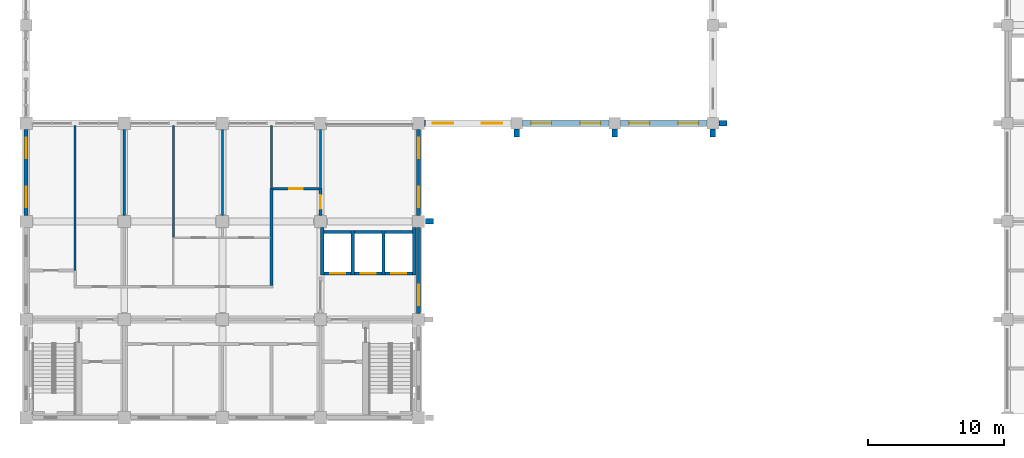
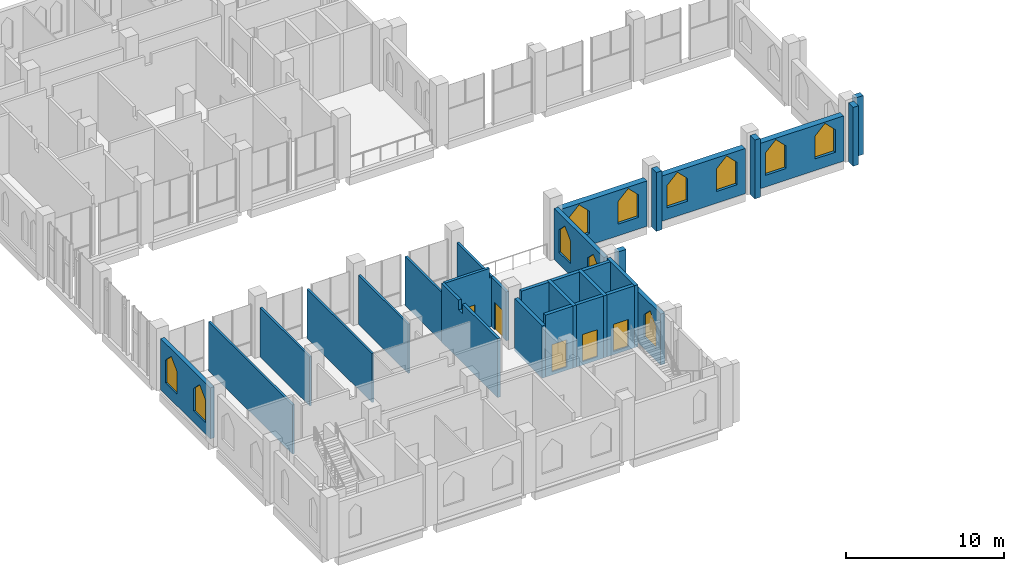
# One storey, part 29 of 40: 30 walls, 11 windows, 5 doors, 16 openings.
"""IFC4 building model written with IfcOpenShell, lengths in metres."""

from ifc_helpers import new_model, si_unit, direction, frame, frame_2d, origin, place, context, subcontext, project, spatial, polyline, rectangle, outline, extrude, material, layer, layer_set, type_object, element, fill, save


model = new_model("IFC4")

# Units and contexts
model_context = context("Model", 3, precision=1e-05, world=origin(), true_north=direction((0.0, 1.0)))
body_context = subcontext(model_context, "Body", "Model", "MODEL_VIEW")
ifc_project = project(units=[si_unit("LENGTHUNIT", "METRE"), si_unit("AREAUNIT", "SQUARE_METRE"), si_unit("VOLUMEUNIT", "CUBIC_METRE"), si_unit("PLANEANGLEUNIT", "RADIAN"), si_unit("MASSUNIT", "GRAM", prefix="KILO")], contexts=[model_context])

# Site, building, storey
site_placement = place(None, origin())
site = spatial("IfcSite", under=ifc_project, at=site_placement, CompositionType="ELEMENT")
building_placement = place(site_placement, origin())
building = spatial("IfcBuilding", under=site, at=building_placement, Name="Silangan Lancet Faculty of Sciences", CompositionType="ELEMENT")
storey_placement = place(building_placement, frame((0.0, 0.0, 16.800048828125)))
storey = spatial("IfcBuildingStorey", under=building, at=storey_placement, Name="L03", CompositionType="ELEMENT", Elevation=16.800048828125)

# Wall, openings, windows
ifc_material_1 = material(Name="Concrete C40/50 precast", Category="concrete")
ifc_layer_1 = layer(ifc_material_1, 0.300048828125)
ifc_layer_set_1 = layer_set([ifc_layer_1], Name="Concrete C40/50 precast")
wall_type_1 = type_object("IfcWallType", Name="EW1 Precast cladding wall", PredefinedType="STANDARD", material=ifc_layer_set_1)
wall_1_placement = place(storey_placement, frame((0.0, 14.85009765625, 0.0), z_axis=(0.0, 0.0, 1.0), x_axis=(0.0, 1.0, 0.0)))
wall_1 = element("IfcWall", 1, at=wall_1_placement, inside=storey, type_object=wall_type_1, Name="EW-L03-W-ST-02", PredefinedType="STANDARD", context=body_context, shape_type="SweptSolid", body=[
    extrude(rectangle(XDim=6.2998046875, YDim=0.300048828125, at=frame_2d((3.14990234375, 0.0))), origin(), (0.0, 0.0, 1.0), 3.949951171875),
])
opening_1_placement = place(wall_1_placement, frame((0.60009765625, 0.0, 0.89990234375)))
opening_1 = element("IfcOpeningElement", 2, at=opening_1_placement, cuts=wall_1, Name="Opening W12", PredefinedType="OPENING", context=body_context, shape_type="SweptSolid", body=[
    extrude(outline(polyline([(0.0, 0.0), (1.5, 0.0), (1.5, 1.75), (0.75, 2.5), (0.0, 1.75), (0.0, 0.0)])), frame((0.0, 0.159912109375, 0.0), z_axis=(0.0, -1.0, 0.0), x_axis=(1.0, 0.0, 0.0)), (0.0, 0.0, 1.0), 0.320068359375),
])
opening_2_placement = place(wall_1_placement, frame((4.199951171875, 0.0, 0.89990234375)))
opening_2 = element("IfcOpeningElement", 3, at=opening_2_placement, cuts=wall_1, Name="Opening W12", PredefinedType="OPENING", context=body_context, shape_type="SweptSolid", body=[
    extrude(outline(polyline([(0.0, 0.0), (1.5, 0.0), (1.5, 1.75), (0.75, 2.5), (0.0, 1.75), (0.0, 0.0)])), frame((0.0, 0.159912109375, 0.0), z_axis=(0.0, -1.0, 0.0), x_axis=(1.0, 0.0, 0.0)), (0.0, 0.0, 1.0), 0.320068359375),
])
ifc_material_2 = material(Name="Aluminium frame, laminated double glazing", Category="aluminium")
window_type_1 = type_object("IfcWindowType", Name="W12 Lancet window 1500 x 2500", PartitioningType="SINGLE_PANEL", PredefinedType="WINDOW", material=ifc_material_2)
window_1_placement = place(opening_1_placement, origin())
window_1 = element("IfcWindow", 4, at=window_1_placement, inside=storey, type_object=window_type_1, Name="WIN-L03-W-ST-02a", OverallHeight=2.5, OverallWidth=1.5, PartitioningType="SINGLE_PANEL", PredefinedType="WINDOW", context=body_context, shape_type="SweptSolid", body=[
    extrude(outline(polyline([(0.0, 0.0), (1.5, 0.0), (1.5, 1.75), (0.75, 2.5), (0.0, 1.75), (0.0, 0.0)])), frame((0.0, 0.030029296875, 0.0), z_axis=(0.0, -1.0, 0.0), x_axis=(1.0, 0.0, 0.0)), (0.0, 0.0, 1.0), 0.06005859375),
])
fill(opening_1, window_1)
window_2_placement = place(opening_2_placement, origin())
window_2 = element("IfcWindow", 5, at=window_2_placement, inside=storey, type_object=window_type_1, Name="WIN-L03-W-ST-02b", OverallHeight=2.5, OverallWidth=1.5, PartitioningType="SINGLE_PANEL", PredefinedType="WINDOW", context=body_context, shape_type="SweptSolid", body=[
    extrude(outline(polyline([(0.0, 0.0), (1.5, 0.0), (1.5, 1.75), (0.75, 2.5), (0.0, 1.75), (0.0, 0.0)])), frame((0.0, 0.030029296875, 0.0), z_axis=(0.0, -1.0, 0.0), x_axis=(1.0, 0.0, 0.0)), (0.0, 0.0, 1.0), 0.06005859375),
])
fill(opening_2, window_2)

# Wall, opening, window
wall_2_placement = place(storey_placement, frame((28.800048828125, 7.64990234375, 0.0), z_axis=(0.0, 0.0, 1.0), x_axis=(0.0, 1.0, 0.0)))
wall_2 = element("IfcWall", 6, at=wall_2_placement, inside=storey, type_object=wall_type_1, Name="EW-L03-E-ST-01", PredefinedType="STANDARD", context=body_context, shape_type="SweptSolid", body=[
    extrude(rectangle(XDim=6.300048828125, YDim=0.300048828125, at=frame_2d((3.14990234375, 0.0))), origin(), (0.0, 0.0, 1.0), 3.949951171875),
])
opening_3_placement = place(wall_2_placement, frame((0.60009765625, 0.0, 0.89990234375)))
opening_3 = element("IfcOpeningElement", 7, at=opening_3_placement, cuts=wall_2, Name="Opening W12", PredefinedType="OPENING", context=body_context, shape_type="SweptSolid", body=[
    extrude(outline(polyline([(0.0, 0.0), (1.5, 0.0), (1.5, 1.75), (0.75, 2.5), (0.0, 1.75), (0.0, 0.0)])), frame((0.0, 0.159912109375, 0.0), z_axis=(0.0, -1.0, 0.0), x_axis=(1.0, 0.0, 0.0)), (0.0, 0.0, 1.0), 0.320068359375),
])
window_3_placement = place(opening_3_placement, origin())
window_3 = element("IfcWindow", 8, at=window_3_placement, inside=storey, type_object=window_type_1, Name="WIN-L03-E-ST-01a", OverallHeight=2.5, OverallWidth=1.5, PartitioningType="SINGLE_PANEL", PredefinedType="WINDOW", context=body_context, shape_type="SweptSolid", body=[
    extrude(outline(polyline([(0.0, 0.0), (1.5, 0.0), (1.5, 1.75), (0.75, 2.5), (0.0, 1.75), (0.0, 0.0)])), frame((0.0, 0.030029296875, 0.0), z_axis=(0.0, -1.0, 0.0), x_axis=(1.0, 0.0, 0.0)), (0.0, 0.0, 1.0), 0.06005859375),
])
fill(opening_3, window_3)

# Wall, openings, windows
wall_3_placement = place(storey_placement, frame((28.800048828125, 14.85009765625, 0.0), z_axis=(0.0, 0.0, 1.0), x_axis=(0.0, 1.0, 0.0)))
wall_3 = element("IfcWall", 9, at=wall_3_placement, inside=storey, type_object=wall_type_1, Name="EW-L03-E-ST-02", PredefinedType="STANDARD", context=body_context, shape_type="SweptSolid", body=[
    extrude(rectangle(XDim=6.2998046875, YDim=0.300048828125, at=frame_2d((3.14990234375, 0.0))), origin(), (0.0, 0.0, 1.0), 3.949951171875),
])
opening_4_placement = place(wall_3_placement, frame((0.60009765625, 0.0, 0.89990234375)))
opening_4 = element("IfcOpeningElement", 10, at=opening_4_placement, cuts=wall_3, Name="Opening W12", PredefinedType="OPENING", context=body_context, shape_type="SweptSolid", body=[
    extrude(outline(polyline([(0.0, 0.0), (1.5, 0.0), (1.5, 1.75), (0.75, 2.5), (0.0, 1.75), (0.0, 0.0)])), frame((0.0, 0.159912109375, 0.0), z_axis=(0.0, -1.0, 0.0), x_axis=(1.0, 0.0, 0.0)), (0.0, 0.0, 1.0), 0.320068359375),
])
opening_5_placement = place(wall_3_placement, frame((4.199951171875, 0.0, 0.89990234375)))
opening_5 = element("IfcOpeningElement", 11, at=opening_5_placement, cuts=wall_3, Name="Opening W12", PredefinedType="OPENING", context=body_context, shape_type="SweptSolid", body=[
    extrude(outline(polyline([(0.0, 0.0), (1.5, 0.0), (1.5, 1.75), (0.75, 2.5), (0.0, 1.75), (0.0, 0.0)])), frame((0.0, 0.159912109375, 0.0), z_axis=(0.0, -1.0, 0.0), x_axis=(1.0, 0.0, 0.0)), (0.0, 0.0, 1.0), 0.320068359375),
])
window_4_placement = place(opening_4_placement, origin())
window_4 = element("IfcWindow", 12, at=window_4_placement, inside=storey, type_object=window_type_1, Name="WIN-L03-E-ST-02a", OverallHeight=2.5, OverallWidth=1.5, PartitioningType="SINGLE_PANEL", PredefinedType="WINDOW", context=body_context, shape_type="SweptSolid", body=[
    extrude(outline(polyline([(0.0, 0.0), (1.5, 0.0), (1.5, 1.75), (0.75, 2.5), (0.0, 1.75), (0.0, 0.0)])), frame((0.0, 0.030029296875, 0.0), z_axis=(0.0, -1.0, 0.0), x_axis=(1.0, 0.0, 0.0)), (0.0, 0.0, 1.0), 0.06005859375),
])
fill(opening_4, window_4)
window_5_placement = place(opening_5_placement, origin())
window_5 = element("IfcWindow", 13, at=window_5_placement, inside=storey, type_object=window_type_1, Name="WIN-L03-E-ST-02b", OverallHeight=2.5, OverallWidth=1.5, PartitioningType="SINGLE_PANEL", PredefinedType="WINDOW", context=body_context, shape_type="SweptSolid", body=[
    extrude(outline(polyline([(0.0, 0.0), (1.5, 0.0), (1.5, 1.75), (0.75, 2.5), (0.0, 1.75), (0.0, 0.0)])), frame((0.0, 0.030029296875, 0.0), z_axis=(0.0, -1.0, 0.0), x_axis=(1.0, 0.0, 0.0)), (0.0, 0.0, 1.0), 0.06005859375),
])
fill(opening_5, window_5)

ifc_material_3 = material(Name="Concrete C40/50", Category="concrete")
ifc_layer_2 = layer(ifc_material_3, 0.449951171875)
ifc_layer_set_2 = layer_set([ifc_layer_2], Name="Concrete C40/50")
wall_type_2 = type_object("IfcWallType", Name="EW8 Clerestory wall with deep reveals", PredefinedType="STANDARD", material=ifc_layer_set_2)
wall_4_placement = place(storey_placement, frame((29.25, 21.60009765625, 0.0), z_axis=(0.0, 0.0, 1.0), x_axis=(1.0, 0.0, 0.0)))
wall_4 = element("IfcWall", 14, at=wall_4_placement, inside=storey, type_object=wall_type_2, Name="EW-L03-S-NAVE-CL-00", PredefinedType="STANDARD", context=body_context, shape_type="SweptSolid", body=[
    extrude(rectangle(XDim=6.324951171875, YDim=0.449951171875, at=frame_2d((3.16259765625, 0.0))), origin(), (0.0, 0.0, 1.0), 3.5),
])
opening_6_placement = place(wall_4_placement, frame((0.60009765625, 0.0, 0.89990234375)))
opening_6 = element("IfcOpeningElement", 15, at=opening_6_placement, cuts=wall_4, Name="Opening W12", PredefinedType="OPENING", context=body_context, shape_type="SweptSolid", body=[
    extrude(outline(polyline([(0.0, 0.0), (1.5, 0.0), (1.5, 1.75), (0.75, 2.5), (0.0, 1.75), (0.0, 0.0)])), frame((0.0, 0.23486328125, 0.0), z_axis=(0.0, -1.0, 0.0), x_axis=(1.0, 0.0, 0.0)), (0.0, 0.0, 1.0), 0.469970703125),
])
opening_7_placement = place(wall_4_placement, frame((4.199951171875, 0.0, 0.89990234375)))
opening_7 = element("IfcOpeningElement", 16, at=opening_7_placement, cuts=wall_4, Name="Opening W13", PredefinedType="OPENING", context=body_context, shape_type="SweptSolid", body=[
    extrude(outline(polyline([(0.0, 0.0), (1.5, 0.0), (1.5, 1.75), (0.75, 2.5), (0.0, 1.75), (0.0, 0.0)])), frame((0.0, 0.23486328125, 0.0), z_axis=(0.0, -1.0, 0.0), x_axis=(1.0, 0.0, 0.0)), (0.0, 0.0, 1.0), 0.469970703125),
])
window_6_placement = place(opening_6_placement, origin())
window_6 = element("IfcWindow", 17, at=window_6_placement, inside=storey, type_object=window_type_1, Name="WIN-L03-S-NAVE-CL-00a", OverallHeight=2.5, OverallWidth=1.5, PartitioningType="SINGLE_PANEL", PredefinedType="WINDOW", context=body_context, shape_type="SweptSolid", body=[
    extrude(outline(polyline([(0.0, 0.0), (1.5, 0.0), (1.5, 1.75), (0.75, 2.5), (0.0, 1.75), (0.0, 0.0)])), frame((0.0, 0.030029296875, 0.0), z_axis=(0.0, -1.0, 0.0), x_axis=(1.0, 0.0, 0.0)), (0.0, 0.0, 1.0), 0.06005859375),
])
fill(opening_6, window_6)
ifc_material_4 = material(Name="Aluminium storm louvre blades", Category="aluminium")
window_type_2 = type_object("IfcWindowType", Name="W13 Storm louvre lancet 1500 x 2500", PartitioningType="SINGLE_PANEL", PredefinedType="WINDOW", material=ifc_material_4)
window_7_placement = place(opening_7_placement, origin())
window_7 = element("IfcWindow", 18, at=window_7_placement, inside=storey, type_object=window_type_2, Name="WIN-L03-S-NAVE-CL-00b", OverallHeight=2.5, OverallWidth=1.5, PartitioningType="SINGLE_PANEL", PredefinedType="WINDOW", context=body_context, shape_type="SweptSolid", body=[
    extrude(outline(polyline([(0.0, 0.0), (1.5, 0.0), (1.5, 1.75), (0.75, 2.5), (0.0, 1.75), (0.0, 0.0)])), frame((0.0, 0.030029296875, 0.0), z_axis=(0.0, -1.0, 0.0), x_axis=(1.0, 0.0, 0.0)), (0.0, 0.0, 1.0), 0.06005859375),
])
fill(opening_7, window_7)

wall_5_placement = place(storey_placement, frame((36.425048828125, 21.60009765625, 0.0), z_axis=(0.0, 0.0, 1.0), x_axis=(1.0, 0.0, 0.0)))
wall_5 = element("IfcWall", 19, at=wall_5_placement, inside=storey, type_object=wall_type_2, Name="EW-L03-S-NAVE-CL-01", PredefinedType="STANDARD", context=body_context, shape_type="SweptSolid", body=[
    extrude(rectangle(XDim=6.349853515625, YDim=0.449951171875, at=frame_2d((3.1748046875, 0.0))), origin(), (0.0, 0.0, 1.0), 3.5),
])
opening_8_placement = place(wall_5_placement, frame((0.625, 0.0, 0.89990234375)))
opening_8 = element("IfcOpeningElement", 20, at=opening_8_placement, cuts=wall_5, Name="Opening W12", PredefinedType="OPENING", context=body_context, shape_type="SweptSolid", body=[
    extrude(outline(polyline([(0.0, 0.0), (1.5, 0.0), (1.5, 1.75), (0.75, 2.5), (0.0, 1.75), (0.0, 0.0)])), frame((0.0, 0.23486328125, 0.0), z_axis=(0.0, -1.0, 0.0), x_axis=(1.0, 0.0, 0.0)), (0.0, 0.0, 1.0), 0.469970703125),
])
opening_9_placement = place(wall_5_placement, frame((4.22509765625, 0.0, 0.89990234375)))
opening_9 = element("IfcOpeningElement", 21, at=opening_9_placement, cuts=wall_5, Name="Opening W13", PredefinedType="OPENING", context=body_context, shape_type="SweptSolid", body=[
    extrude(outline(polyline([(0.0, 0.0), (1.5, 0.0), (1.5, 1.75), (0.75, 2.5), (0.0, 1.75), (0.0, 0.0)])), frame((0.0, 0.23486328125, 0.0), z_axis=(0.0, -1.0, 0.0), x_axis=(1.0, 0.0, 0.0)), (0.0, 0.0, 1.0), 0.469970703125),
])
window_8_placement = place(opening_8_placement, origin())
window_8 = element("IfcWindow", 22, at=window_8_placement, inside=storey, type_object=window_type_1, Name="WIN-L03-S-NAVE-CL-01a", OverallHeight=2.5, OverallWidth=1.5, PartitioningType="SINGLE_PANEL", PredefinedType="WINDOW", context=body_context, shape_type="SweptSolid", body=[
    extrude(outline(polyline([(0.0, 0.0), (1.5, 0.0), (1.5, 1.75), (0.75, 2.5), (0.0, 1.75), (0.0, 0.0)])), frame((0.0, 0.030029296875, 0.0), z_axis=(0.0, -1.0, 0.0), x_axis=(1.0, 0.0, 0.0)), (0.0, 0.0, 1.0), 0.06005859375),
])
fill(opening_8, window_8)
window_9_placement = place(opening_9_placement, origin())
window_9 = element("IfcWindow", 23, at=window_9_placement, inside=storey, type_object=window_type_2, Name="WIN-L03-S-NAVE-CL-01b", OverallHeight=2.5, OverallWidth=1.5, PartitioningType="SINGLE_PANEL", PredefinedType="WINDOW", context=body_context, shape_type="SweptSolid", body=[
    extrude(outline(polyline([(0.0, 0.0), (1.5, 0.0), (1.5, 1.75), (0.75, 2.5), (0.0, 1.75), (0.0, 0.0)])), frame((0.0, 0.030029296875, 0.0), z_axis=(0.0, -1.0, 0.0), x_axis=(1.0, 0.0, 0.0)), (0.0, 0.0, 1.0), 0.06005859375),
])
fill(opening_9, window_9)

wall_6_placement = place(storey_placement, frame((43.625, 21.60009765625, 0.0), z_axis=(0.0, 0.0, 1.0), x_axis=(1.0, 0.0, 0.0)))
wall_6 = element("IfcWall", 24, at=wall_6_placement, inside=storey, type_object=wall_type_2, Name="EW-L03-S-NAVE-CL-02", PredefinedType="STANDARD", context=body_context, shape_type="SweptSolid", body=[
    extrude(rectangle(XDim=6.35009765625, YDim=0.449951171875, at=frame_2d((3.175048828125, 0.0))), origin(), (0.0, 0.0, 1.0), 3.5),
])
opening_10_placement = place(wall_6_placement, frame((0.625, 0.0, 0.89990234375)))
opening_10 = element("IfcOpeningElement", 25, at=opening_10_placement, cuts=wall_6, Name="Opening W12", PredefinedType="OPENING", context=body_context, shape_type="SweptSolid", body=[
    extrude(outline(polyline([(0.0, 0.0), (1.5, 0.0), (1.5, 1.75), (0.75, 2.5), (0.0, 1.75), (0.0, 0.0)])), frame((0.0, 0.23486328125, 0.0), z_axis=(0.0, -1.0, 0.0), x_axis=(1.0, 0.0, 0.0)), (0.0, 0.0, 1.0), 0.469970703125),
])
opening_11_placement = place(wall_6_placement, frame((4.22509765625, 0.0, 0.89990234375)))
opening_11 = element("IfcOpeningElement", 26, at=opening_11_placement, cuts=wall_6, Name="Opening W13", PredefinedType="OPENING", context=body_context, shape_type="SweptSolid", body=[
    extrude(outline(polyline([(0.0, 0.0), (1.5, 0.0), (1.5, 1.75), (0.75, 2.5), (0.0, 1.75), (0.0, 0.0)])), frame((0.0, 0.23486328125, 0.0), z_axis=(0.0, -1.0, 0.0), x_axis=(1.0, 0.0, 0.0)), (0.0, 0.0, 1.0), 0.469970703125),
])
window_10_placement = place(opening_10_placement, origin())
window_10 = element("IfcWindow", 27, at=window_10_placement, inside=storey, type_object=window_type_1, Name="WIN-L03-S-NAVE-CL-02a", OverallHeight=2.5, OverallWidth=1.5, PartitioningType="SINGLE_PANEL", PredefinedType="WINDOW", context=body_context, shape_type="SweptSolid", body=[
    extrude(outline(polyline([(0.0, 0.0), (1.5, 0.0), (1.5, 1.75), (0.75, 2.5), (0.0, 1.75), (0.0, 0.0)])), frame((0.0, 0.030029296875, 0.0), z_axis=(0.0, -1.0, 0.0), x_axis=(1.0, 0.0, 0.0)), (0.0, 0.0, 1.0), 0.06005859375),
])
fill(opening_10, window_10)
window_11_placement = place(opening_11_placement, origin())
window_11 = element("IfcWindow", 28, at=window_11_placement, inside=storey, type_object=window_type_2, Name="WIN-L03-S-NAVE-CL-02b", OverallHeight=2.5, OverallWidth=1.5, PartitioningType="SINGLE_PANEL", PredefinedType="WINDOW", context=body_context, shape_type="SweptSolid", body=[
    extrude(outline(polyline([(0.0, 0.0), (1.5, 0.0), (1.5, 1.75), (0.75, 2.5), (0.0, 1.75), (0.0, 0.0)])), frame((0.0, 0.030029296875, 0.0), z_axis=(0.0, -1.0, 0.0), x_axis=(1.0, 0.0, 0.0)), (0.0, 0.0, 1.0), 0.06005859375),
])
fill(opening_11, window_11)

# Walls
ifc_material_5 = material(Name="Concrete C40/50 precast", Category="concrete")
ifc_layer_3 = layer(ifc_material_5, 0.39990234375)
ifc_layer_set_3 = layer_set([ifc_layer_3], Name="Concrete C40/50 precast")
wall_type_3 = type_object("IfcWallType", Name="FN36 Buttress Fin column line stage 1 4550", PredefinedType="POLYGONAL", material=ifc_layer_set_3)
wall_7_placement = place(storey_placement, frame((29.300048828125, 14.39990234375, 0.0), z_axis=(0.0, 0.0, 1.0), x_axis=(1.0, 0.0, 0.0)))
element("IfcWall", 29, at=wall_7_placement, inside=storey, type_object=wall_type_3, Name="FINC-E-ST-03", PredefinedType="POLYGONAL", context=body_context, shape_type="SweptSolid", body=[
    extrude(outline(polyline([(0.60009765625, 0.0), (0.60009765625, 4.550048828125), (0.0, 4.550048828125), (0.0, 0.0), (0.60009765625, 0.0)])), frame((0.0, 0.199951171875, 0.0), z_axis=(0.0, -1.0, 0.0), x_axis=(1.0, 0.0, 0.0)), (0.0, 0.0, 1.0), 0.39990234375),
])
ifc_material_6 = material(Name="Concrete C40/50 precast", Category="concrete")
ifc_layer_4 = layer(ifc_material_6, 0.39990234375)
ifc_layer_set_4 = layer_set([ifc_layer_4], Name="Concrete C40/50 precast")
wall_type_4 = type_object("IfcWallType", Name="FN53 Buttress Fin column line stage 1 4550", PredefinedType="POLYGONAL", material=ifc_layer_set_4)
for number, where, z_axis, x_axis, name in (
    (30, (36.0, 21.175048828125, 0.0), (0.0, 0.0, 1.0), (0.0, -1.0, 0.0), "FINC-S-NAVE-CL-01"),
    (31, (43.199951171875, 21.175048828125, 0.0), (0.0, 0.0, 1.0), (0.0, -1.0, 0.0), "FINC-S-NAVE-CL-02"),
    (32, (50.39990234375, 21.175048828125, 0.0), (0.0, 0.0, 1.0), (0.0, -1.0, 0.0), "FINC-S-NAVE-CL-03"),
    (33, (50.824951171875, 21.60009765625, 0.0), (0.0, 0.0, 1.0), (1.0, 0.0, 0.0), "FINC-E-NAVE-01"),
):
    element("IfcWall", number, at=place(storey_placement, frame(where, z_axis=z_axis, x_axis=x_axis)), inside=storey, type_object=wall_type_4, Name=name, PredefinedType="POLYGONAL", context=body_context, shape_type="SweptSolid", body=[
        extrude(outline(polyline([(0.60009765625, 0.0), (0.60009765625, 4.550048828125), (0.0, 4.550048828125), (0.0, 0.0), (0.60009765625, 0.0)])), frame((0.0, 0.199951171875, 0.0), z_axis=(0.0, -1.0, 0.0), x_axis=(1.0, 0.0, 0.0)), (0.0, 0.0, 1.0), 0.39990234375),
    ])

# Wall, opening, door
ifc_material_7 = material(Name="Hollow block masonry fm 7 MPa", Category="masonry")
ifc_layer_5 = layer(ifc_material_7, 0.199951171875)
ifc_layer_set_5 = layer_set([ifc_layer_5], Name="Hollow block masonry fm 7 MPa")
wall_type_5 = type_object("IfcWallType", Name="Interior wall PW1 Corridor wall CHB 200", PredefinedType="PARTITIONING", material=ifc_layer_set_5)
wall_8_placement = place(storey_placement, frame((18.10009765625, 16.800048828125, 0.0), z_axis=(0.0, 0.0, 1.0), x_axis=(1.0, 0.0, 0.0)))
wall_8 = element("IfcWall", 34, at=wall_8_placement, inside=storey, type_object=wall_type_5, Name="Corridor wall CHB 200", PredefinedType="PARTITIONING", context=body_context, shape_type="SweptSolid", body=[
    extrude(outline(polyline([(0.0, 0.0), (3.39990234375, 0.0), (3.39990234375, 3.800048828125), (3.25, 3.800048828125), (3.25, 4.550048828125), (0.0, 4.550048828125), (0.0, 0.0)])), frame((0.0, 0.10009765625, 0.0), z_axis=(0.0, -1.0, 0.0), x_axis=(1.0, 0.0, 0.0)), (0.0, 0.0, 1.0), 0.199951171875),
])
opening_12_placement = place(wall_8_placement, frame((1.199951171875, 0.0, 0.0)))
opening_12 = element("IfcOpeningElement", 35, at=opening_12_placement, cuts=wall_8, Name="Opening L03-013", PredefinedType="OPENING", context=body_context, shape_type="SweptSolid", body=[
    extrude(rectangle(XDim=1.0, YDim=2.10009765625, at=frame_2d((0.5, 1.050048828125))), frame((0.0, 0.10986328125, 0.0), z_axis=(0.0, -1.0, 0.0), x_axis=(1.0, 0.0, 0.0)), (0.0, 0.0, 1.0), 0.219970703125),
])
ifc_material_8 = material(Name="Steel fire door set", Category="steel")
door_type_1 = type_object("IfcDoorType", Name="Door D1 Single leaf fire door 1000 x 2100", OperationType="SINGLE_SWING_LEFT", PredefinedType="DOOR", material=ifc_material_8)
door_1_placement = place(opening_12_placement, origin())
door_1 = element("IfcDoor", 36, at=door_1_placement, inside=storey, type_object=door_type_1, Name="Single leaf fire door 1000 x 2100", OperationType="SINGLE_SWING_RIGHT", OverallHeight=2.10009765625, OverallWidth=1.0, PredefinedType="DOOR", context=body_context, shape_type="SweptSolid", body=[
    extrude(rectangle(XDim=1.0, YDim=2.10009765625, at=frame_2d((0.5, 1.050048828125))), frame((0.0, 0.02490234375, 0.0), z_axis=(0.0, -1.0, 0.0), x_axis=(1.0, 0.0, 0.0)), (0.0, 0.0, 1.0), 0.050048828125),
])
fill(opening_12, door_1)

# Wall
wall_9_placement = place(storey_placement, frame((18.0, 9.699951171875, 0.0), z_axis=(0.0, 0.0, 1.0), x_axis=(0.0, 1.0, 0.0)))
element("IfcWall", 37, at=wall_9_placement, inside=storey, type_object=wall_type_5, Name="Corridor wall CHB 200", PredefinedType="PARTITIONING", context=body_context, shape_type="SweptSolid", body=[
    extrude(outline(polyline([(0.0, 0.0), (7.10009765625, 0.0), (7.10009765625, 4.550048828125), (4.949951171875, 4.550048828125), (4.949951171875, 3.800048828125), (4.449951171875, 3.800048828125), (4.449951171875, 4.550048828125), (0.0, 4.550048828125), (0.0, 0.0)])), frame((0.0, 0.10009765625, 0.0), z_axis=(0.0, -1.0, 0.0), x_axis=(1.0, 0.0, 0.0)), (0.0, 0.0, 1.0), 0.199951171875),
])

# Wall, opening, door
wall_10_placement = place(storey_placement, frame((21.60009765625, 14.85009765625, 0.0), z_axis=(0.0, 0.0, 1.0), x_axis=(0.0, 1.0, 0.0)))
wall_10 = element("IfcWall", 38, at=wall_10_placement, inside=storey, type_object=wall_type_5, Name="Corridor wall CHB 200", PredefinedType="PARTITIONING", context=body_context, shape_type="SweptSolid", body=[
    extrude(rectangle(XDim=1.949951171875, YDim=0.199951171875, at=frame_2d((0.97509765625, 0.0))), origin(), (0.0, 0.0, 1.0), 3.800048828125),
])
opening_13_placement = place(wall_10_placement, frame((0.474853515625, 0.0, 0.0)))
opening_13 = element("IfcOpeningElement", 39, at=opening_13_placement, cuts=wall_10, Name="Opening L03-014", PredefinedType="OPENING", context=body_context, shape_type="SweptSolid", body=[
    extrude(rectangle(XDim=1.0, YDim=2.10009765625, at=frame_2d((0.5, 1.050048828125))), frame((0.0, 0.10986328125, 0.0), z_axis=(0.0, -1.0, 0.0), x_axis=(1.0, 0.0, 0.0)), (0.0, 0.0, 1.0), 0.219970703125),
])
door_2_placement = place(opening_13_placement, frame((1.0, 0.0, 0.0), z_axis=(0.0, 0.0, 1.0), x_axis=(-1.0, 0.0, 0.0)))
door_2 = element("IfcDoor", 40, at=door_2_placement, inside=storey, type_object=door_type_1, Name="Single leaf fire door 1000 x 2100", OperationType="SINGLE_SWING_RIGHT", OverallHeight=2.10009765625, OverallWidth=1.0, PredefinedType="DOOR", context=body_context, shape_type="SweptSolid", body=[
    extrude(rectangle(XDim=1.0, YDim=2.10009765625, at=frame_2d((0.5, 1.050048828125))), frame((0.0, 0.025146484375, 0.0), z_axis=(0.0, -1.0, 0.0), x_axis=(1.0, 0.0, 0.0)), (0.0, 0.0, 1.0), 0.050048828125),
])
fill(opening_13, door_2)

# Walls
ifc_material_9 = material(Name="Hollow block masonry fm 7 MPa", Category="masonry")
ifc_layer_6 = layer(ifc_material_9, 0.14990234375)
ifc_layer_set_6 = layer_set([ifc_layer_6], Name="Hollow block masonry fm 7 MPa")
wall_type_6 = type_object("IfcWallType", Name="Interior wall PW3 Partition CHB 150", PredefinedType="PARTITIONING", material=ifc_layer_set_6)
wall_11_placement = place(storey_placement, frame((3.60009765625, 10.800048828125, 0.0), z_axis=(0.0, 0.0, 1.0), x_axis=(0.0, 1.0, 0.0)))
element("IfcWall", 41, at=wall_11_placement, inside=storey, type_object=wall_type_6, Name="Partition CHB 150", PredefinedType="PARTITIONING", context=body_context, shape_type="SweptSolid", body=[
    extrude(rectangle(XDim=10.64990234375, YDim=0.14990234375, at=frame_2d((5.324951171875, 0.0))), origin(), (0.0, 0.0, 1.0), 3.800048828125),
])
wall_12_placement = place(storey_placement, frame((7.199951171875, 14.85009765625, 0.0), z_axis=(0.0, 0.0, 1.0), x_axis=(0.0, 1.0, 0.0)))
element("IfcWall", 42, at=wall_12_placement, inside=storey, type_object=wall_type_6, Name="Partition CHB 150", PredefinedType="PARTITIONING", context=body_context, shape_type="SweptSolid", body=[
    extrude(rectangle(XDim=6.2998046875, YDim=0.14990234375, at=frame_2d((3.14990234375, 0.0))), origin(), (0.0, 0.0, 1.0), 3.800048828125),
])
wall_13_placement = place(storey_placement, frame((10.800048828125, 13.199951171875, 0.0), z_axis=(0.0, 0.0, 1.0), x_axis=(0.0, 1.0, 0.0)))
element("IfcWall", 43, at=wall_13_placement, inside=storey, type_object=wall_type_6, Name="Partition CHB 150", PredefinedType="PARTITIONING", context=body_context, shape_type="SweptSolid", body=[
    extrude(rectangle(XDim=8.25, YDim=0.14990234375, at=frame_2d((4.125, 0.0))), origin(), (0.0, 0.0, 1.0), 3.800048828125),
])
wall_14_placement = place(storey_placement, frame((14.39990234375, 14.85009765625, 0.0), z_axis=(0.0, 0.0, 1.0), x_axis=(0.0, 1.0, 0.0)))
element("IfcWall", 44, at=wall_14_placement, inside=storey, type_object=wall_type_6, Name="Partition CHB 150", PredefinedType="PARTITIONING", context=body_context, shape_type="SweptSolid", body=[
    extrude(rectangle(XDim=6.2998046875, YDim=0.14990234375, at=frame_2d((3.14990234375, 0.0))), origin(), (0.0, 0.0, 1.0), 3.800048828125),
])
wall_15_placement = place(storey_placement, frame((18.0, 16.800048828125, 0.0), z_axis=(0.0, 0.0, 1.0), x_axis=(0.0, 1.0, 0.0)))
element("IfcWall", 45, at=wall_15_placement, inside=storey, type_object=wall_type_6, Name="Partition CHB 150", PredefinedType="PARTITIONING", context=body_context, shape_type="SweptSolid", body=[
    extrude(rectangle(XDim=4.64990234375, YDim=0.14990234375, at=frame_2d((2.324951171875, 0.0))), origin(), (0.0, 0.0, 1.0), 3.800048828125),
])
wall_16_placement = place(storey_placement, frame((21.60009765625, 16.800048828125, 0.0), z_axis=(0.0, 0.0, 1.0), x_axis=(0.0, 1.0, 0.0)))
element("IfcWall", 46, at=wall_16_placement, inside=storey, type_object=wall_type_6, Name="Partition CHB 150", PredefinedType="PARTITIONING", context=body_context, shape_type="SweptSolid", body=[
    extrude(rectangle(XDim=4.349853515625, YDim=0.14990234375, at=frame_2d((2.1748046875, 0.0))), origin(), (0.0, 0.0, 1.0), 3.800048828125),
])
ifc_material_10 = material(Name="Concrete C40/50", Category="concrete")
ifc_layer_7 = layer(ifc_material_10, 0.25)
ifc_layer_set_7 = layer_set([ifc_layer_7], Name="Concrete C40/50")
wall_type_7 = type_object("IfcWallType", Name="LIFT SHAFT WALL RC 250", PredefinedType="SHEAR", material=ifc_layer_set_7)
wall_17_placement = place(storey_placement, frame((21.72509765625, 10.449951171875, -0.25), z_axis=(0.0, 0.0, 1.0), x_axis=(0.0, 1.0, 0.0)))
element("IfcWall", 47, at=wall_17_placement, inside=storey, type_object=wall_type_7, Name="WALL-L03-ST-SW1", PredefinedType="SHEAR", context=body_context, shape_type="SweptSolid", body=[
    extrude(rectangle(XDim=3.5, YDim=0.25, at=frame_2d((1.75, 0.0))), origin(), (0.0, 0.0, 1.0), 4.050048828125),
])
for number, where, z_axis, x_axis, name in (
    (48, (23.97509765625, 10.449951171875, -0.25), (0.0, 0.0, 1.0), (0.0, 1.0, 0.0), "WALL-L03-ST-SW2"),
    (49, (26.22509765625, 10.449951171875, -0.25), (0.0, 0.0, 1.0), (0.0, 1.0, 0.0), "WALL-L03-ST-SW3"),
):
    element("IfcWall", number, at=place(storey_placement, frame(where, z_axis=z_axis, x_axis=x_axis)), inside=storey, type_object=wall_type_7, Name=name, PredefinedType="SHEAR", context=body_context, shape_type="SweptSolid", body=[
        extrude(rectangle(XDim=3.300048828125, YDim=0.25, at=frame_2d((1.64990234375, 0.0))), origin(), (0.0, 0.0, 1.0), 4.800048828125),
    ])
wall_18_placement = place(storey_placement, frame((28.47509765625, 10.449951171875, -0.25), z_axis=(0.0, 0.0, 1.0), x_axis=(0.0, 1.0, 0.0)))
element("IfcWall", 50, at=wall_18_placement, inside=storey, type_object=wall_type_7, Name="WALL-L03-ST-SW4", PredefinedType="SHEAR", context=body_context, shape_type="SweptSolid", body=[
    extrude(rectangle(XDim=3.5, YDim=0.25, at=frame_2d((1.75, 0.0))), origin(), (0.0, 0.0, 1.0), 4.800048828125),
])

# Wall, opening, door
wall_19_placement = place(storey_placement, frame((21.85009765625, 10.574951171875, -0.25), z_axis=(0.0, 0.0, 1.0), x_axis=(1.0, 0.0, 0.0)))
wall_19 = element("IfcWall", 51, at=wall_19_placement, inside=storey, type_object=wall_type_7, Name="WALL-L03-ST-L1-F", PredefinedType="SHEAR", context=body_context, shape_type="SweptSolid", body=[
    extrude(rectangle(XDim=2.0, YDim=0.25, at=frame_2d((1.0, 0.0))), origin(), (0.0, 0.0, 1.0), 4.800048828125),
])
opening_14_placement = place(wall_19_placement, frame((0.449951171875, 0.0, 0.25)))
opening_14 = element("IfcOpeningElement", 52, at=opening_14_placement, cuts=wall_19, Name="Opening L03-807", PredefinedType="OPENING", context=body_context, shape_type="SweptSolid", body=[
    extrude(rectangle(XDim=1.10009765625, YDim=2.10009765625, at=frame_2d((0.550048828125, 1.050048828125))), frame((0.0, 0.135009765625, 0.0), z_axis=(0.0, -1.0, 0.0), x_axis=(1.0, 0.0, 0.0)), (0.0, 0.0, 1.0), 0.27001953125),
])
ifc_material_11 = material(Name="Stainless steel sliding door", Category="steel")
door_type_2 = type_object("IfcDoorType", Name="LD1 Lift landing door 1100x2100", OperationType="SLIDING_TO_LEFT", PredefinedType="DOOR", material=ifc_material_11)
door_3_placement = place(opening_14_placement, origin())
door_3 = element("IfcDoor", 53, at=door_3_placement, inside=storey, type_object=door_type_2, Name="Landing door ST-L1 L03", OperationType="SLIDING_TO_LEFT", OverallHeight=2.10009765625, OverallWidth=1.10009765625, PredefinedType="DOOR", context=body_context, shape_type="SweptSolid", body=[
    extrude(rectangle(XDim=1.10009765625, YDim=2.10009765625, at=frame_2d((0.550048828125, 1.050048828125))), frame((0.0, 0.02490234375, 0.0), z_axis=(0.0, -1.0, 0.0), x_axis=(1.0, 0.0, 0.0)), (0.0, 0.0, 1.0), 0.050048828125),
])
fill(opening_14, door_3)

# Wall
wall_20_placement = place(storey_placement, frame((21.85009765625, 13.625, -0.25), z_axis=(0.0, 0.0, 1.0), x_axis=(1.0, 0.0, 0.0)))
element("IfcWall", 54, at=wall_20_placement, inside=storey, type_object=wall_type_7, Name="WALL-L03-ST-L1-B", PredefinedType="SHEAR", context=body_context, shape_type="SweptSolid", body=[
    extrude(rectangle(XDim=2.0, YDim=0.25, at=frame_2d((1.0, 0.0))), origin(), (0.0, 0.0, 1.0), 4.800048828125),
])

# Wall, opening, door
wall_21_placement = place(storey_placement, frame((24.10009765625, 10.574951171875, -0.25), z_axis=(0.0, 0.0, 1.0), x_axis=(1.0, 0.0, 0.0)))
wall_21 = element("IfcWall", 55, at=wall_21_placement, inside=storey, type_object=wall_type_7, Name="WALL-L03-ST-L2-F", PredefinedType="SHEAR", context=body_context, shape_type="SweptSolid", body=[
    extrude(rectangle(XDim=2.0, YDim=0.25, at=frame_2d((1.0, 0.0))), origin(), (0.0, 0.0, 1.0), 4.800048828125),
])
opening_15_placement = place(wall_21_placement, frame((0.449951171875, 0.0, 0.25)))
opening_15 = element("IfcOpeningElement", 56, at=opening_15_placement, cuts=wall_21, Name="Opening L03-808", PredefinedType="OPENING", context=body_context, shape_type="SweptSolid", body=[
    extrude(rectangle(XDim=1.10009765625, YDim=2.10009765625, at=frame_2d((0.550048828125, 1.050048828125))), frame((0.0, 0.135009765625, 0.0), z_axis=(0.0, -1.0, 0.0), x_axis=(1.0, 0.0, 0.0)), (0.0, 0.0, 1.0), 0.27001953125),
])
door_4_placement = place(opening_15_placement, origin())
door_4 = element("IfcDoor", 57, at=door_4_placement, inside=storey, type_object=door_type_2, Name="Landing door ST-L2 L03", OperationType="SLIDING_TO_LEFT", OverallHeight=2.10009765625, OverallWidth=1.10009765625, PredefinedType="DOOR", context=body_context, shape_type="SweptSolid", body=[
    extrude(rectangle(XDim=1.10009765625, YDim=2.10009765625, at=frame_2d((0.550048828125, 1.050048828125))), frame((0.0, 0.02490234375, 0.0), z_axis=(0.0, -1.0, 0.0), x_axis=(1.0, 0.0, 0.0)), (0.0, 0.0, 1.0), 0.050048828125),
])
fill(opening_15, door_4)

# Wall
wall_22_placement = place(storey_placement, frame((24.10009765625, 13.625, -0.25), z_axis=(0.0, 0.0, 1.0), x_axis=(1.0, 0.0, 0.0)))
element("IfcWall", 58, at=wall_22_placement, inside=storey, type_object=wall_type_7, Name="WALL-L03-ST-L2-B", PredefinedType="SHEAR", context=body_context, shape_type="SweptSolid", body=[
    extrude(rectangle(XDim=2.0, YDim=0.25, at=frame_2d((1.0, 0.0))), origin(), (0.0, 0.0, 1.0), 4.800048828125),
])

# Wall, opening, door
wall_23_placement = place(storey_placement, frame((26.35009765625, 10.574951171875, -0.25), z_axis=(0.0, 0.0, 1.0), x_axis=(1.0, 0.0, 0.0)))
wall_23 = element("IfcWall", 59, at=wall_23_placement, inside=storey, type_object=wall_type_7, Name="WALL-L03-ST-L3-F", PredefinedType="SHEAR", context=body_context, shape_type="SweptSolid", body=[
    extrude(rectangle(XDim=2.0, YDim=0.25, at=frame_2d((1.0, 0.0))), origin(), (0.0, 0.0, 1.0), 4.800048828125),
])
opening_16_placement = place(wall_23_placement, frame((0.449951171875, 0.0, 0.25)))
opening_16 = element("IfcOpeningElement", 60, at=opening_16_placement, cuts=wall_23, Name="Opening L03-809", PredefinedType="OPENING", context=body_context, shape_type="SweptSolid", body=[
    extrude(rectangle(XDim=1.10009765625, YDim=2.10009765625, at=frame_2d((0.550048828125, 1.050048828125))), frame((0.0, 0.135009765625, 0.0), z_axis=(0.0, -1.0, 0.0), x_axis=(1.0, 0.0, 0.0)), (0.0, 0.0, 1.0), 0.27001953125),
])
door_5_placement = place(opening_16_placement, origin())
door_5 = element("IfcDoor", 61, at=door_5_placement, inside=storey, type_object=door_type_2, Name="Landing door ST-L3 L03", OperationType="SLIDING_TO_LEFT", OverallHeight=2.10009765625, OverallWidth=1.10009765625, PredefinedType="DOOR", context=body_context, shape_type="SweptSolid", body=[
    extrude(rectangle(XDim=1.10009765625, YDim=2.10009765625, at=frame_2d((0.550048828125, 1.050048828125))), frame((0.0, 0.02490234375, 0.0), z_axis=(0.0, -1.0, 0.0), x_axis=(1.0, 0.0, 0.0)), (0.0, 0.0, 1.0), 0.050048828125),
])
fill(opening_16, door_5)

# Wall
wall_24_placement = place(storey_placement, frame((26.35009765625, 13.625, -0.25), z_axis=(0.0, 0.0, 1.0), x_axis=(1.0, 0.0, 0.0)))
element("IfcWall", 62, at=wall_24_placement, inside=storey, type_object=wall_type_7, Name="WALL-L03-ST-L3-B", PredefinedType="SHEAR", context=body_context, shape_type="SweptSolid", body=[
    extrude(rectangle(XDim=2.0, YDim=0.25, at=frame_2d((1.0, 0.0))), origin(), (0.0, 0.0, 1.0), 4.800048828125),
])

save(model, "model.ifc")
